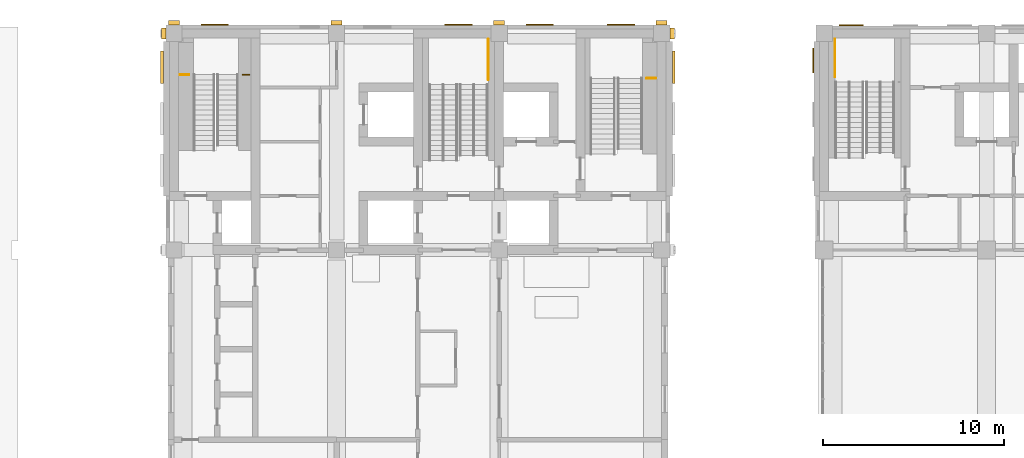
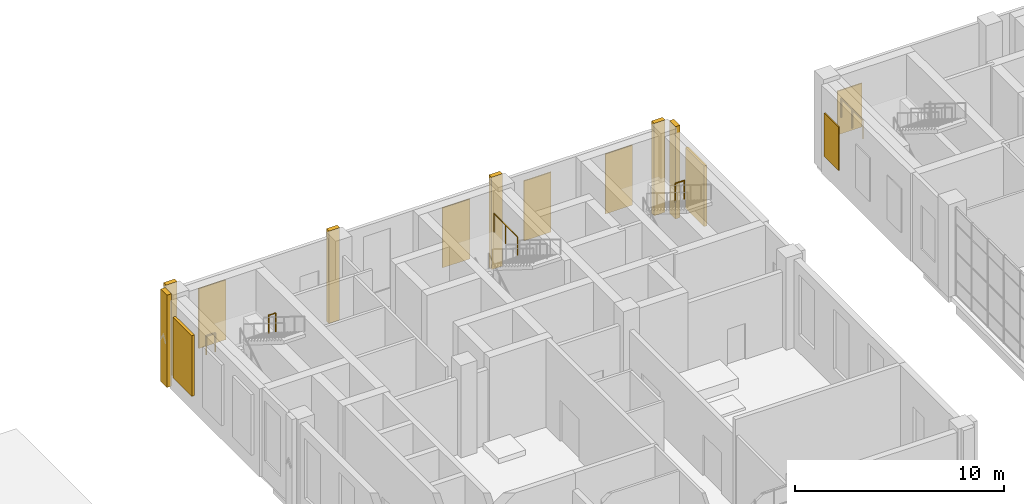
# One storey, part 30 of 33: 14 coverings, 5 railings.
"""IFC4 building model written with IfcOpenShell, lengths in metres."""

import ifcopenshell
import ifcopenshell.guid

model = None  # the IFC model being written
_history = None  # IfcOwnerHistory: only IFC2X3 demands one
_inside = {}  # id of a spatial element -> (the spatial element, [elements in it])
_under = {}  # id of a project, library or spatial element -> (it, [spatial elements below it])
_declared = {}  # id of a project -> (the project, [libraries it declares])
_typed = {}  # id of a type object -> (the type object, [elements of that type])
_made_of = {}  # id of a material, layer set ... -> (it, [elements and type objects made of it])


def new_model(schema):
    """Start an empty IFC model of exactly this schema.

    Asked for "IFC4X3", IfcOpenShell would pick the latest addendum, in which some entities
    have other attributes; the version numbers below select the first issue.
    IFC2X3 requires an IfcOwnerHistory on every rooted entity: one is made here for all.
    """
    global model, _history
    if schema == "IFC4X3":
        model = ifcopenshell.file(schema_version=(4, 3, 0, 0))
    else:
        model = ifcopenshell.file(schema=schema)
    _inside.clear()
    _under.clear()
    _declared.clear()
    _typed.clear()
    _made_of.clear()
    _history = None
    if model.schema == "IFC2X3":
        org = make("IfcOrganization", Name="unknown")
        user = make(
            "IfcPersonAndOrganization",
            ThePerson=make("IfcPerson", FamilyName="unknown"),
            TheOrganization=org,
        )
        app = make(
            "IfcApplication",
            ApplicationDeveloper=org,
            Version="unknown",
            ApplicationFullName="unknown",
            ApplicationIdentifier="unknown",
        )
        _history = make(
            "IfcOwnerHistory",
            OwningUser=user,
            OwningApplication=app,
            ChangeAction="ADDED",
            CreationDate=0,
        )
    return model


def make(cls, **values):
    """One entity of the class cls with the attributes given. An attribute that is None is left unset."""
    return model.create_entity(
        cls, **{name: value for name, value in values.items() if value is not None}
    )


def rooted(cls, **values):
    """An entity with a GlobalId (a new one), such as an element, a storey or a relation."""
    return make(cls, GlobalId=ifcopenshell.guid.new(), OwnerHistory=_history, **values)


def si_unit(unit_type, name, prefix=None):
    """IfcSIUnit, for example si_unit("LENGTHUNIT", "METRE", prefix="MILLI")."""
    return make("IfcSIUnit", UnitType=unit_type, Prefix=prefix, Name=name)


def assignment(units):
    """IfcUnitAssignment: the units of a project."""
    return None if units is None else make("IfcUnitAssignment", Units=units)


def point(xyz):
    """IfcCartesianPoint."""
    return None if xyz is None else make("IfcCartesianPoint", Coordinates=xyz)


def direction(xyz):
    """IfcDirection."""
    return None if xyz is None else make("IfcDirection", DirectionRatios=xyz)


def frame(location, z_axis=None, x_axis=None):
    """IfcAxis2Placement3D, a coordinate frame: its origin and axes. An axis left out is left unset."""
    return make(
        "IfcAxis2Placement3D",
        Location=point(location),
        Axis=direction(z_axis),
        RefDirection=direction(x_axis),
    )


def frame_2d(location, x_axis=None):
    """IfcAxis2Placement2D, a coordinate frame in the plane: its origin and x axis."""
    return make(
        "IfcAxis2Placement2D", Location=point(location), RefDirection=direction(x_axis)
    )


def origin():
    """The frame at (0, 0, 0) with its axes left unset."""
    return frame((0.0, 0.0, 0.0))


def origin_2d():
    """The frame at (0, 0) in the plane with its x axis left unset."""
    return frame_2d((0.0, 0.0))


def place(relative_to, where):
    """IfcLocalPlacement: puts the frame where relative to a parent placement (None: the world)."""
    return make(
        "IfcLocalPlacement", PlacementRelTo=relative_to, RelativePlacement=where
    )


def context(
    kind, dimensions, precision=None, world=None, true_north=None, identifier=None
):
    """IfcGeometricRepresentationContext, for example the 3D "Model" context."""
    return make(
        "IfcGeometricRepresentationContext",
        ContextIdentifier=identifier,
        ContextType=kind,
        CoordinateSpaceDimension=dimensions,
        Precision=precision,
        WorldCoordinateSystem=world,
        TrueNorth=true_north,
    )


def subcontext(parent, identifier, kind, view, scale=None):
    """IfcGeometricRepresentationSubContext, for example "Body" below "Model"."""
    return make(
        "IfcGeometricRepresentationSubContext",
        ContextIdentifier=identifier,
        ContextType=kind,
        ParentContext=parent,
        TargetScale=scale,
        TargetView=view,
    )


def project(units=None, contexts=None):
    """IfcProject with its units and contexts."""
    return rooted(
        "IfcProject",
        Name="project",
        RepresentationContexts=contexts,
        UnitsInContext=assignment(units),
    )


def spatial(cls, under=None, at=None, **own):
    """A site, building, storey or space (cls), placed at a placement, below another one or the project."""
    s = rooted(cls, ObjectPlacement=at, **own)
    if under is not None:
        _under.setdefault(under.id(), (under, []))[1].append(s)
    return s


def profile(cls, at=None, kind="AREA", **sizes):
    """A parametric profile (cls). Its sizes go by their IFC names, for example OverallWidth=200.0."""
    return make(cls, ProfileType=kind, Position=at, **sizes)


def rectangle(**sizes):
    """IfcRectangleProfileDef."""
    return profile("IfcRectangleProfileDef", **sizes)


def circle(**sizes):
    """IfcCircleProfileDef."""
    return profile("IfcCircleProfileDef", **sizes)


def extrude(swept, where, along, depth):
    """IfcExtrudedAreaSolid: the profile swept, set in the frame where, extruded along a direction by depth."""
    return make(
        "IfcExtrudedAreaSolid",
        SweptArea=swept,
        Position=where,
        ExtrudedDirection=direction(along),
        Depth=depth,
    )


def shape(context_of_items, identifier, shape_type, items):
    """IfcShapeRepresentation: the items that make up one representation, for example the "Body"."""
    return make(
        "IfcShapeRepresentation",
        ContextOfItems=context_of_items,
        RepresentationIdentifier=identifier,
        RepresentationType=shape_type,
        Items=items,
    )


def material(Name=None, Category=None):
    """IfcMaterial."""
    return make("IfcMaterial", Name=Name, Category=Category)


def layer(
    of_material, thickness, ventilated=None, Name=None, Category=None, Priority=None
):
    """IfcMaterialLayer: one layer of a wall or slab, of a material (None: an air gap)."""
    return make(
        "IfcMaterialLayer",
        Material=of_material,
        LayerThickness=thickness,
        IsVentilated=ventilated,
        Name=Name,
        Category=Category,
        Priority=Priority,
    )


def layer_set(layers, Name=None):
    """IfcMaterialLayerSet."""
    return make("IfcMaterialLayerSet", MaterialLayers=layers, LayerSetName=Name)


def made_of(thing, what):
    """Note that an element or type object is made of a material, layer set ...; save() writes the relation."""
    if what is not None:
        _made_of.setdefault(what.id(), (what, []))[1].append(thing)
    return thing


def type_object(cls, material=None, **own):
    """A type object (cls), such as IfcWallType, which elements share."""
    return made_of(rooted(cls, **own), material)


def element(
    cls,
    number,
    at=None,
    inside=None,
    cuts=None,
    type_object=None,
    material=None,
    context=None,
    identifier="Body",
    shape_type=None,
    held_by="IfcProductDefinitionShape",
    body=None,
    shapes=None,
    **own,
):
    """One element of the class cls, such as IfcWall. Its Tag is "e" and its number.

    at: its placement. inside: the storey or other place that contains it. cuts: it is an
    opening in that element (IfcRelVoidsElement). A single representation is given by context,
    identifier, shape_type and body (its items); several are given by shapes. held_by: the class
    of the entity that holds the representations. save() writes the other relations.
    """
    e = rooted(cls, Tag="e%d" % number, ObjectPlacement=at, **own)
    if body is not None:
        shapes = [shape(context, identifier, shape_type, body)]
    if shapes is not None:
        e.Representation = make(held_by, Representations=shapes)
    if inside is not None:
        _inside.setdefault(inside.id(), (inside, []))[1].append(e)
    if cuts is not None:
        rooted(
            "IfcRelVoidsElement", RelatingBuildingElement=cuts, RelatedOpeningElement=e
        )
    if type_object is not None:
        _typed.setdefault(type_object.id(), (type_object, []))[1].append(e)
    return made_of(e, material)


def aggregate(whole, parts):
    """IfcRelAggregates: a whole, such as a stair, and the parts it consists of."""
    return rooted("IfcRelAggregates", RelatingObject=whole, RelatedObjects=parts)


def save(model, path):
    """Write the relations noted so far, then the file.

    IfcRelAggregates (storeys below a building ...), IfcRelContainedInSpatialStructure (elements
    in a storey), IfcRelDefinesByType, IfcRelAssociatesMaterial and IfcRelDeclares: one each for
    every whole, place, type object, material and project.
    """
    for whole, parts in _under.values():
        aggregate(whole, parts)
    for where, things in _inside.values():
        rooted(
            "IfcRelContainedInSpatialStructure",
            RelatedElements=things,
            RelatingStructure=where,
        )
    for kind, things in _typed.values():
        rooted("IfcRelDefinesByType", RelatedObjects=things, RelatingType=kind)
    for what, things in _made_of.values():
        rooted("IfcRelAssociatesMaterial", RelatedObjects=things, RelatingMaterial=what)
    for by, libraries in _declared.values():
        rooted("IfcRelDeclares", RelatingContext=by, RelatedDefinitions=libraries)
    model.write(path)


model = new_model("IFC4")

# Units and contexts
model_context = context("Model", 3, precision=1e-05, world=origin(), true_north=direction((0.0, 1.0)))
body_context = subcontext(model_context, "Body", "Model", "MODEL_VIEW")
ifc_project = project(units=[si_unit("LENGTHUNIT", "METRE"), si_unit("AREAUNIT", "SQUARE_METRE"), si_unit("VOLUMEUNIT", "CUBIC_METRE"), si_unit("PLANEANGLEUNIT", "RADIAN"), si_unit("MASSUNIT", "GRAM", prefix="KILO")], contexts=[model_context])

# Site, building, storey
site_placement = place(None, origin())
site = spatial("IfcSite", under=ifc_project, at=site_placement, CompositionType="ELEMENT")
building_placement = place(site_placement, origin())
building = spatial("IfcBuilding", under=site, at=building_placement, Name="Aurelan Courthouse", CompositionType="ELEMENT")
storey_placement = place(building_placement, frame((0.0, 0.0, 22.800048828125)))
storey = spatial("IfcBuildingStorey", under=building, at=storey_placement, Name="L04", CompositionType="ELEMENT", Elevation=22.800048828125)

# Coverings
ifc_material_1 = material(Name="Bronze sheet cladding")
ifc_layer_1 = layer(ifc_material_1, 0.06005859375)
ifc_layer_set_1 = layer_set([ifc_layer_1], Name="Bronze sheet cladding")
covering_type_1 = type_object("IfcCoveringType", Name="Courtroom Block blind bay 1500 x 3500", PredefinedType="CLADDING", material=ifc_layer_set_1)
for number, where, z_axis, x_axis, name in (
    (1, (38.25, 66.47998046875, 1.050048828125), (0.0, 0.0, 1.0), (1.0, 0.0, 0.0), "Blind bay BB-V2-L04-001"),
    (2, (51.75, 66.47998046875, 1.050048828125), (0.0, 0.0, 1.0), (1.0, 0.0, 0.0), "Blind bay BB-V2-L04-002"),
    (3, (56.25, 66.47998046875, 1.050048828125), (0.0, 0.0, 1.0), (1.0, 0.0, 0.0), "Blind bay BB-V2-L04-003"),
    (4, (60.75, 66.47998046875, 1.050048828125), (0.0, 0.0, 1.0), (1.0, 0.0, 0.0), "Blind bay BB-V2-L04-004"),
):
    element("IfcCovering", number, at=place(storey_placement, frame(where, z_axis=z_axis, x_axis=x_axis)), inside=storey, type_object=covering_type_1, Name=name, PredefinedType="CLADDING", context=body_context, shape_type="SweptSolid", body=[
        extrude(rectangle(XDim=1.5, YDim=0.06005859375, at=origin_2d()), origin(), (0.0, 0.0, 1.0), 3.5),
    ])
ifc_material_2 = material(Name="Limestone cladding", Category="masonry")
covering_type_2 = type_object("IfcCoveringType", Name="Courtroom Block pilaster fin 600 x 250", PredefinedType="CLADDING", material=ifc_material_2)
for number, where, z_axis, x_axis, name in (
    (5, (36.0, 66.574951171875, 0.0), (0.0, 0.0, 1.0), (1.0, 0.0, 0.0), "Pilaster fin FN-V2-030"),
    (6, (45.0, 66.574951171875, 0.0), (0.0, 0.0, 1.0), (1.0, 0.0, 0.0), "Pilaster fin FN-V2-031"),
    (7, (54.0, 66.574951171875, 0.0), (0.0, 0.0, 1.0), (1.0, 0.0, 0.0), "Pilaster fin FN-V2-032"),
    (8, (63.0, 66.574951171875, 0.0), (0.0, 0.0, 1.0), (1.0, 0.0, 0.0), "Pilaster fin FN-V2-033"),
):
    element("IfcCovering", number, at=place(storey_placement, frame(where, z_axis=z_axis, x_axis=x_axis)), inside=storey, type_object=covering_type_2, Name=name, PredefinedType="CLADDING", context=body_context, shape_type="SweptSolid", body=[
        extrude(rectangle(XDim=0.60009765625, YDim=0.25, at=origin_2d()), origin(), (0.0, 0.0, 1.0), 5.39990234375),
    ])
for number, where, z_axis, x_axis, name in (
    (9, (63.574951171875, 66.0, 0.0), (0.0, 0.0, 1.0), (1.0, 0.0, 0.0), "Pilaster fin FN-V2-036"),
    (10, (35.425048828125, 66.0, 0.0), (0.0, 0.0, 1.0), (1.0, 0.0, 0.0), "Pilaster fin FN-V2-039"),
):
    element("IfcCovering", number, at=place(storey_placement, frame(where, z_axis=z_axis, x_axis=x_axis)), inside=storey, type_object=covering_type_2, Name=name, PredefinedType="CLADDING", context=body_context, shape_type="SweptSolid", body=[
        extrude(rectangle(XDim=0.25, YDim=0.60009765625, at=origin_2d()), origin(), (0.0, 0.0, 1.0), 5.39990234375),
    ])
ifc_layer_2 = layer(ifc_material_1, 0.06005859375)
ifc_layer_set_2 = layer_set([ifc_layer_2], Name="Bronze sheet cladding")
covering_type_3 = type_object("IfcCoveringType", Name="Law Library blind bay 1350 x 2550", PredefinedType="CLADDING", material=ifc_layer_set_2)
covering_1_placement = place(storey_placement, frame((73.5, 66.449951171875, 1.19970703125), z_axis=(0.0, 0.0, 1.0), x_axis=(1.0, 0.0, 0.0)))
element("IfcCovering", 11, at=covering_1_placement, inside=storey, type_object=covering_type_3, Name="Blind bay BB-V3-L04-001", PredefinedType="CLADDING", context=body_context, shape_type="SweptSolid", body=[
    extrude(rectangle(XDim=1.35009765625, YDim=0.06005859375, at=origin_2d()), origin(), (0.0, 0.0, 1.0), 2.550048828125),
])
covering_2_placement = place(storey_placement, frame((71.39990234375, 64.5, 1.19970703125), z_axis=(0.0, 0.0, 1.0), x_axis=(1.0, 0.0, 0.0)))
element("IfcCovering", 12, at=covering_2_placement, inside=storey, type_object=covering_type_3, Name="Blind bay BB-V3-L04-012", PredefinedType="CLADDING", context=body_context, shape_type="SweptSolid", body=[
    extrude(rectangle(XDim=0.06005859375, YDim=1.35009765625, at=origin_2d()), origin(), (0.0, 0.0, 1.0), 2.550048828125),
])
ifc_layer_3 = layer(ifc_material_1, 0.14990234375)
ifc_layer_set_3 = layer_set([ifc_layer_3], Name="Bronze sheet cladding")
covering_type_4 = type_object("IfcCoveringType", Name="Relief panel 1800 x 3550 x 150", PredefinedType="CLADDING", material=ifc_layer_set_3)
for number, where, z_axis, x_axis, name in (
    (13, (35.324951171875, 64.125, 1.0), (0.0, 0.0, 1.0), (1.0, 0.0, 0.0), "Relief panel RP-V2-026"),
    (14, (63.675048828125, 64.125, 1.0), (0.0, 0.0, 1.0), (1.0, 0.0, 0.0), "Relief panel RP-V2-029"),
):
    element("IfcCovering", number, at=place(storey_placement, frame(where, z_axis=z_axis, x_axis=x_axis)), inside=storey, type_object=covering_type_4, Name=name, PredefinedType="CLADDING", context=body_context, shape_type="SweptSolid", body=[
        extrude(rectangle(XDim=0.14990234375, YDim=1.800048828125, at=origin_2d()), origin(), (0.0, 0.0, 1.0), 3.550048828125),
    ])

# Railings
ifc_material_3 = material(Name="Steel S355", Category="steel")
railing_type = type_object("IfcRailingType", Name="Stair guard 1100", PredefinedType="GUARDRAIL", material=ifc_material_3)
railing_1_placement = place(storey_placement, frame((36.830078125, 63.7099609375, 2.787109375)))
element("IfcRailing", 15, at=railing_1_placement, inside=storey, type_object=railing_type, Name="Guard CS-2-L04-GL1", PredefinedType="GUARDRAIL", context=body_context, shape_type="SweptSolid", body=[
    extrude(circle(Radius=0.02392578125, at=origin_2d()), frame((0.0, 0.0, 1.076171875), z_axis=(-1.0, 0.0, 0.0), x_axis=(0.0, -1.0, 0.0)), (0.0, 0.0, 1.0), 0.5),
    extrude(circle(Radius=0.02099609375, at=origin_2d()), origin(), (0.0, 0.0, 1.0), 1.052001953125),
    extrude(circle(Radius=0.02099609375, at=origin_2d()), frame((-0.5, 0.0, 0.0)), (0.0, 0.0, 1.0), 1.052001953125),
])
railing_2_placement = place(storey_placement, frame((40.169921875, 63.7099609375, 2.787109375)))
element("IfcRailing", 16, at=railing_2_placement, inside=storey, type_object=railing_type, Name="Guard CS-2-L04-GL2", PredefinedType="GUARDRAIL", context=body_context, shape_type="SweptSolid", body=[
    extrude(circle(Radius=0.02392578125, at=origin_2d()), frame((0.0, 0.0, 1.076171875), z_axis=(-1.0, 0.0, 0.0), x_axis=(0.0, -1.0, 0.0)), (0.0, 0.0, 1.0), 0.3798828125),
    extrude(circle(Radius=0.02099609375, at=origin_2d()), origin(), (0.0, 0.0, 1.0), 1.052001953125),
    extrude(circle(Radius=0.02099609375, at=origin_2d()), frame((-0.3798828125, 0.0, 0.0)), (0.0, 0.0, 1.0), 1.052001953125),
])
railing_3_placement = place(storey_placement, frame((53.39990234375, 65.669921875, 2.787109375)))
element("IfcRailing", 17, at=railing_3_placement, inside=storey, type_object=railing_type, Name="Guard ST-2A-L04-GL1", PredefinedType="GUARDRAIL", context=body_context, shape_type="SweptSolid", body=[
    extrude(circle(Radius=0.02392578125, at=origin_2d()), frame((0.0, 0.0, 1.076171875), z_axis=(0.0, -1.0, 0.0), x_axis=(1.0, 0.0, 0.0)), (0.0, 0.0, 1.0), 2.234619140625),
    extrude(circle(Radius=0.02099609375, at=origin_2d()), origin(), (0.0, 0.0, 1.0), 1.052001953125),
    extrude(circle(Radius=0.02099609375, at=origin_2d()), frame((0.0, -1.1171875, 0.0)), (0.0, 0.0, 1.0), 1.052001953125),
    extrude(circle(Radius=0.02099609375, at=origin_2d()), frame((0.0, -2.234619140625, 0.0)), (0.0, 0.0, 1.0), 1.052001953125),
])
railing_4_placement = place(storey_placement, frame((62.669921875, 63.510009765625, 2.787109375)))
element("IfcRailing", 18, at=railing_4_placement, inside=storey, type_object=railing_type, Name="Guard ST-2E-L04-GL1", PredefinedType="GUARDRAIL", context=body_context, shape_type="SweptSolid", body=[
    extrude(circle(Radius=0.02392578125, at=origin_2d()), frame((0.0, 0.0, 1.076171875), z_axis=(-1.0, 0.0, 0.0), x_axis=(0.0, -1.0, 0.0)), (0.0, 0.0, 1.0), 0.5),
    extrude(circle(Radius=0.02099609375, at=origin_2d()), origin(), (0.0, 0.0, 1.0), 1.052001953125),
    extrude(circle(Radius=0.02099609375, at=origin_2d()), frame((-0.5, 0.0, 0.0)), (0.0, 0.0, 1.0), 1.052001953125),
])
railing_5_placement = place(storey_placement, frame((72.60009765625, 63.585205078125, 2.787109375)))
element("IfcRailing", 19, at=railing_5_placement, inside=storey, type_object=railing_type, Name="Guard ST-3A-L04-GL1", PredefinedType="GUARDRAIL", context=body_context, shape_type="SweptSolid", body=[
    extrude(circle(Radius=0.02392578125, at=origin_2d()), frame((0.0, 0.0, 1.076171875), z_axis=(0.0, 1.0, 0.0), x_axis=(-1.0, 0.0, 0.0)), (0.0, 0.0, 1.0), 2.084716796875),
    extrude(circle(Radius=0.02099609375, at=origin_2d()), origin(), (0.0, 0.0, 1.0), 1.052001953125),
    extrude(circle(Radius=0.02099609375, at=origin_2d()), frame((0.0, 1.04248046875, 0.0)), (0.0, 0.0, 1.0), 1.052001953125),
    extrude(circle(Radius=0.02099609375, at=origin_2d()), frame((0.0, 2.084716796875, 0.0)), (0.0, 0.0, 1.0), 1.052001953125),
])

save(model, "model.ifc")
